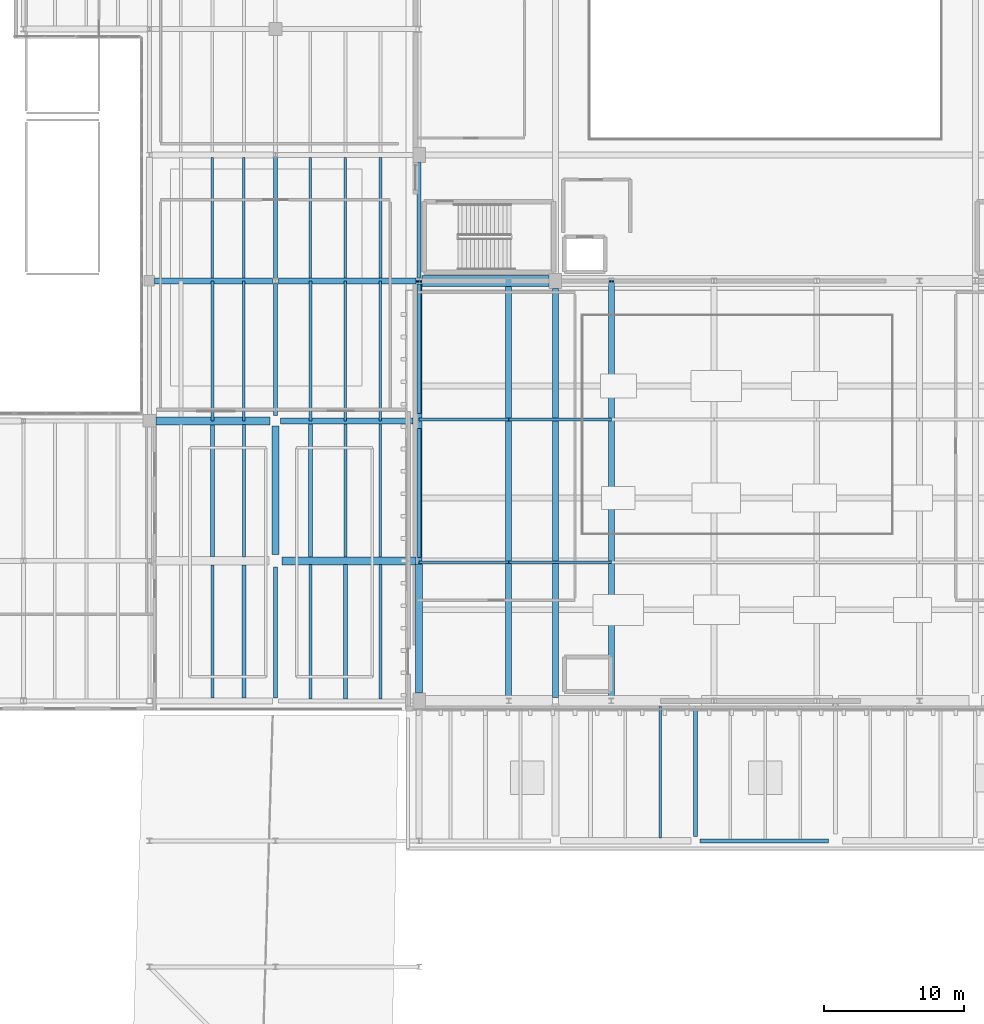
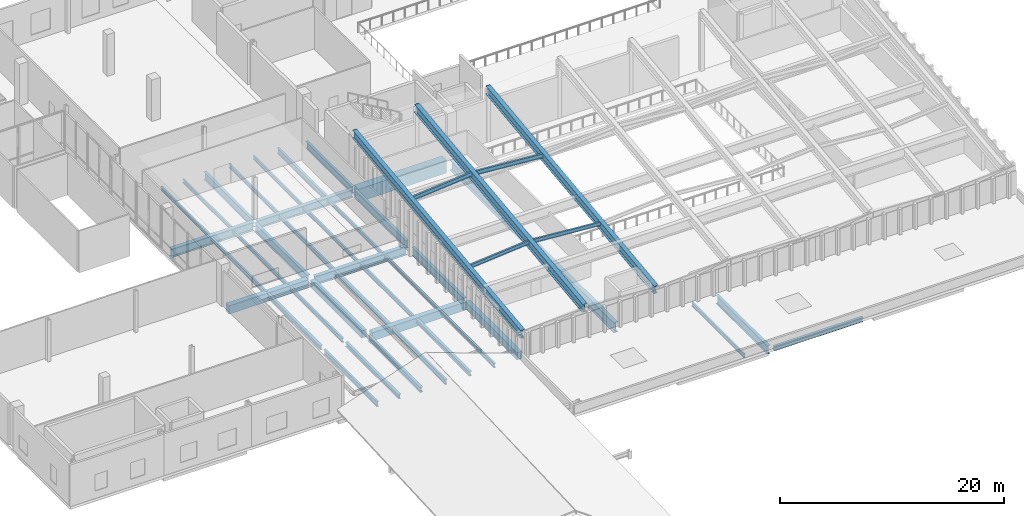
# One storey, part 12 of 30: 41 beams, 4 members.
"""IFC4 building model written with IfcOpenShell, lengths in metres."""

from ifc_helpers import new_model, si_unit, direction, frame, origin, origin_2d, place, context, subcontext, project, spatial, rectangle, i_section, extrude, material, material_profile, profile_set, type_object, element, save


model = new_model("IFC4")

# Units and contexts
model_context = context("Model", 3, precision=1e-05, world=origin(), true_north=direction((0.0, 1.0)))
body_context = subcontext(model_context, "Body", "Model", "MODEL_VIEW")
ifc_project = project(units=[si_unit("LENGTHUNIT", "METRE"), si_unit("AREAUNIT", "SQUARE_METRE"), si_unit("VOLUMEUNIT", "CUBIC_METRE"), si_unit("PLANEANGLEUNIT", "RADIAN"), si_unit("MASSUNIT", "GRAM", prefix="KILO")], contexts=[model_context])

# Site, building, storey
site_placement = place(None, origin())
site = spatial("IfcSite", under=ifc_project, at=site_placement, CompositionType="ELEMENT")
building_placement = place(site_placement, origin())
building = spatial("IfcBuilding", under=site, at=building_placement, Name="Trimount Lyric Opera House", CompositionType="ELEMENT")
storey_placement = place(building_placement, frame((0.0, 0.0, 24.800048828125)))
storey = spatial("IfcBuildingStorey", under=building, at=storey_placement, Name="L05", CompositionType="ELEMENT", Elevation=24.800048828125)

# Beams
ifc_material_1 = material(Name="Steel ASTM A992 Grade 50", Category="steel")
ifc_material_profile_1 = material_profile(ifc_material_1, i_section(OverallWidth=0.424072265625, OverallDepth=0.947021484375, WebThickness=0.02392578125, FlangeThickness=0.042724609375, FilletRadius=0.02392578125, at=origin_2d()), Name="W36X302")
ifc_profile_set_1 = profile_set([ifc_material_profile_1], Name="Steel ASTM A992 Grade 50")
beam_type_1 = type_object("IfcBeamType", Name="B-01", PredefinedType="BEAM", material=ifc_profile_set_1)
beam_1_placement = place(storey_placement, frame((70.6572265625, 54.0, 2.576416015625), z_axis=(0.0, 0.992758415213, 0.120127969367), x_axis=(-1.0, 0.0, 0.0)))
element("IfcBeam", 1, at=beam_1_placement, inside=storey, type_object=beam_type_1, Name="Auditorium folded roof girder 2", PredefinedType="BEAM", context=body_context, shape_type="SweptSolid", body=[
    extrude(i_section(OverallWidth=0.424072265625, OverallDepth=0.947021484375, WebThickness=0.02392578125, FlangeThickness=0.042724609375, FilletRadius=0.02392578125, at=origin_2d()), origin(), (0.0, 0.0, 1.0), 30.21875),
])
ifc_material_2 = material(Name="Steel ASTM A992 Grade 50", Category="steel")
ifc_material_profile_2 = material_profile(ifc_material_2, i_section(OverallWidth=0.4189453125, OverallDepth=0.927001953125, WebThickness=0.019287109375, FlangeThickness=0.031982421875, FilletRadius=0.02392578125, at=origin_2d()), Name="W36X231")
ifc_profile_set_2 = profile_set([ifc_material_profile_2], Name="Steel ASTM A992 Grade 50")
beam_type_2 = type_object("IfcBeamType", Name="B-02", PredefinedType="BEAM", material=ifc_profile_set_2)
beam_2_placement = place(storey_placement, frame((54.375, 74.0, -0.8134765625), z_axis=(1.0, 0.0, 0.0), x_axis=(0.0, 1.0, 0.0)))
element("IfcBeam", 2, at=beam_2_placement, inside=storey, type_object=beam_type_2, Name="L05 girder X-1271", PredefinedType="BEAM", context=body_context, shape_type="SweptSolid", body=[
    extrude(i_section(OverallWidth=0.4189453125, OverallDepth=0.927001953125, WebThickness=0.019287109375, FlangeThickness=0.031982421875, FilletRadius=0.02392578125, at=origin_2d()), origin(), (0.0, 0.0, 1.0), 9.43505859375),
])
beam_3_placement = place(storey_placement, frame((45.375, 84.0, -0.7236328125), z_axis=(1.0, 0.0, 0.0), x_axis=(0.0, 1.0, 0.0)))
element("IfcBeam", 3, at=beam_3_placement, inside=storey, type_object=beam_type_2, Name="L05 girder X-1272", PredefinedType="BEAM", context=body_context, shape_type="SweptSolid", body=[
    extrude(i_section(OverallWidth=0.4189453125, OverallDepth=0.927001953125, WebThickness=0.019287109375, FlangeThickness=0.031982421875, FilletRadius=0.02392578125, at=origin_2d()), origin(), (0.0, 0.0, 1.0), 8.44091796875),
])
for number, where, z_axis, x_axis, name in (
    (4, (64.260009765625, 54.0, 2.00634765625), (0.0, 0.992758415213, 0.120127969367), (-1.0, 0.0, 0.0), "Auditorium folded roof girder 1"),
    (5, (77.994384765625, 54.0, 2.00634765625), (0.0, 0.992758415213, 0.120127969367), (-1.0, 0.0, 0.0), "Auditorium folded roof girder 3"),
):
    element("IfcBeam", number, at=place(storey_placement, frame(where, z_axis=z_axis, x_axis=x_axis)), inside=storey, type_object=beam_type_2, Name=name, PredefinedType="BEAM", context=body_context, shape_type="SweptSolid", body=[
        extrude(i_section(OverallWidth=0.4189453125, OverallDepth=0.927001953125, WebThickness=0.019287109375, FlangeThickness=0.031982421875, FilletRadius=0.02392578125, at=origin_2d()), origin(), (0.0, 0.0, 1.0), 30.21875),
    ])
ifc_material_3 = material(Name="Steel ASTM A992 Grade 50", Category="steel")
ifc_material_profile_3 = material_profile(ifc_material_3, i_section(OverallWidth=0.304931640625, OverallDepth=0.9189453125, WebThickness=0.017333984375, FlangeThickness=0.02783203125, FilletRadius=0.02001953125, at=origin_2d()), Name="W36X170")
ifc_profile_set_3 = profile_set([ifc_material_profile_3], Name="Steel ASTM A992 Grade 50")
beam_type_3 = type_object("IfcBeamType", Name="B-03", PredefinedType="BEAM", material=ifc_profile_set_3)
beam_4_placement = place(storey_placement, frame((54.0, 74.375, -0.8095703125), z_axis=(0.0, 1.0, 0.0), x_axis=(-1.0, 0.0, 0.0)))
element("IfcBeam", 6, at=beam_4_placement, inside=storey, type_object=beam_type_3, Name="L05 girder Y-1309", PredefinedType="BEAM", context=body_context, shape_type="SweptSolid", body=[
    extrude(i_section(OverallWidth=0.304931640625, OverallDepth=0.9189453125, WebThickness=0.017333984375, FlangeThickness=0.02783203125, FilletRadius=0.02001953125, at=origin_2d()), origin(), (0.0, 0.0, 1.0), 9.447021484375),
])
beam_5_placement = place(storey_placement, frame((64.260009765625, 64.232421875, -0.759521484375), z_axis=(0.0, 1.0, 0.0), x_axis=(-1.0, 0.0, 0.0)))
element("IfcBeam", 7, at=beam_5_placement, inside=storey, type_object=beam_type_3, Name="L05 girder Y-1316", PredefinedType="BEAM", context=body_context, shape_type="SweptSolid", body=[
    extrude(i_section(OverallWidth=0.304931640625, OverallDepth=0.9189453125, WebThickness=0.017333984375, FlangeThickness=0.02783203125, FilletRadius=0.02001953125, at=origin_2d()), origin(), (0.0, 0.0, 1.0), 9.217529296875),
])
beam_6_placement = place(storey_placement, frame((84.0, 44.324951171875, -0.759521484375), z_axis=(0.0, 1.0, 0.0), x_axis=(-1.0, 0.0, 0.0)))
element("IfcBeam", 8, at=beam_6_placement, inside=storey, type_object=beam_type_3, Name="L05 girder Y-1324", PredefinedType="BEAM", context=body_context, shape_type="SweptSolid", body=[
    extrude(i_section(OverallWidth=0.304931640625, OverallDepth=0.9189453125, WebThickness=0.017333984375, FlangeThickness=0.02783203125, FilletRadius=0.02001953125, at=origin_2d()), origin(), (0.0, 0.0, 1.0), 9.125),
])
ifc_material_4 = material(Name="Steel ASTM A992 Grade 50", Category="steel")
ifc_material_profile_4 = material_profile(ifc_material_4, i_section(OverallWidth=0.40087890625, OverallDepth=0.861083984375, WebThickness=0.019775390625, FlangeThickness=0.032470703125, FilletRadius=0.02001953125, at=origin_2d()), Name="W33X221")
ifc_profile_set_4 = profile_set([ifc_material_profile_4], Name="Steel ASTM A992 Grade 50")
beam_type_4 = type_object("IfcBeamType", Name="B-04", PredefinedType="BEAM", material=ifc_profile_set_4)
beam_7_placement = place(storey_placement, frame((54.18408203125, 84.0, -0.73046875), z_axis=(1.0, 0.0, 0.0), x_axis=(0.0, 1.0, 0.0)))
element("IfcBeam", 9, at=beam_7_placement, inside=storey, type_object=beam_type_4, Name="L05 girder X-1273", PredefinedType="BEAM", context=body_context, shape_type="SweptSolid", body=[
    extrude(i_section(OverallWidth=0.40087890625, OverallDepth=0.861083984375, WebThickness=0.019775390625, FlangeThickness=0.032470703125, FilletRadius=0.02001953125, at=origin_2d()), origin(), (0.0, 0.0, 1.0), 9.864990234375),
])
ifc_material_5 = material(Name="Steel ASTM A992 Grade 50", Category="steel")
ifc_material_profile_5 = material_profile(ifc_material_5, i_section(OverallWidth=0.2919921875, OverallDepth=0.845947265625, WebThickness=0.015380859375, FlangeThickness=0.0244140625, FilletRadius=0.01806640625, at=origin_2d()), Name="W33X141")
ifc_profile_set_5 = profile_set([ifc_material_profile_5], Name="Steel ASTM A992 Grade 50")
beam_type_5 = type_object("IfcBeamType", Name="B-05", PredefinedType="BEAM", material=ifc_profile_set_5)
beam_8_placement = place(storey_placement, frame((54.0, 84.177978515625, -0.68310546875), z_axis=(0.0, 1.0, 0.0), x_axis=(-1.0, 0.0, 0.0)))
element("IfcBeam", 10, at=beam_8_placement, inside=storey, type_object=beam_type_5, Name="L05 girder Y-1310", PredefinedType="BEAM", context=body_context, shape_type="SweptSolid", body=[
    extrude(i_section(OverallWidth=0.2919921875, OverallDepth=0.845947265625, WebThickness=0.015380859375, FlangeThickness=0.0244140625, FilletRadius=0.01806640625, at=origin_2d()), origin(), (0.0, 0.0, 1.0), 8.66845703125),
])
beam_9_placement = place(storey_placement, frame((64.260009765625, 74.550048828125, -0.72314453125), z_axis=(0.0, 1.0, 0.0), x_axis=(-1.0, 0.0, 0.0)))
element("IfcBeam", 11, at=beam_9_placement, inside=storey, type_object=beam_type_5, Name="L05 girder Y-1317", PredefinedType="BEAM", context=body_context, shape_type="SweptSolid", body=[
    extrude(i_section(OverallWidth=0.2919921875, OverallDepth=0.845947265625, WebThickness=0.015380859375, FlangeThickness=0.0244140625, FilletRadius=0.01806640625, at=origin_2d()), origin(), (0.0, 0.0, 1.0), 9.217529296875),
])
ifc_material_6 = material(Name="Steel ASTM A992 Grade 50", Category="steel")
ifc_material_profile_6 = material_profile(ifc_material_6, i_section(OverallWidth=0.26708984375, OverallDepth=0.761962890625, WebThickness=0.014404296875, FlangeThickness=0.021484375, FilletRadius=0.01708984375, at=origin_2d()), Name="W30X116")
ifc_profile_set_6 = profile_set([ifc_material_profile_6], Name="Steel ASTM A992 Grade 50")
beam_type_6 = type_object("IfcBeamType", Name="B-07", PredefinedType="BEAM", material=ifc_profile_set_6)
beam_10_placement = place(storey_placement, frame((64.260009765625, 84.232421875, -0.68115234375), z_axis=(0.0, 1.0, 0.0), x_axis=(-1.0, 0.0, 0.0)))
element("IfcBeam", 12, at=beam_10_placement, inside=storey, type_object=beam_type_6, Name="L05 girder Y-1318", PredefinedType="BEAM", context=body_context, shape_type="SweptSolid", body=[
    extrude(i_section(OverallWidth=0.26708984375, OverallDepth=0.761962890625, WebThickness=0.014404296875, FlangeThickness=0.021484375, FilletRadius=0.01708984375, at=origin_2d()), origin(), (0.0, 0.0, 1.0), 8.217529296875),
])
ifc_material_7 = material(Name="Steel ASTM A992 Grade 50", Category="steel")
ifc_material_profile_7 = material_profile(ifc_material_7, i_section(OverallWidth=0.31201171875, OverallDepth=0.5458984375, WebThickness=0.013916015625, FlangeThickness=0.022216796875, FilletRadius=0.014892578125, at=origin_2d()), Name="W21X111")
ifc_profile_set_7 = profile_set([ifc_material_profile_7], Name="Steel ASTM A992 Grade 50")
beam_type_7 = type_object("IfcBeamType", Name="B-12", PredefinedType="BEAM", material=ifc_profile_set_7)
beam_11_placement = place(storey_placement, frame((54.0, 54.20849609375, -0.623046875), z_axis=(0.0, 1.0, 0.0), x_axis=(-1.0, 0.0, 0.0)))
element("IfcBeam", 13, at=beam_11_placement, inside=storey, type_object=beam_type_7, Name="L05 girder Y-1307", PredefinedType="BEAM", context=body_context, shape_type="SweptSolid", body=[
    extrude(i_section(OverallWidth=0.31201171875, OverallDepth=0.5458984375, WebThickness=0.013916015625, FlangeThickness=0.022216796875, FilletRadius=0.014892578125, at=origin_2d()), origin(), (0.0, 0.0, 1.0), 9.341552734375),
])
ifc_material_8 = material(Name="Concrete C40/50", Category="concrete")
ifc_material_profile_8 = material_profile(ifc_material_8, rectangle(XDim=0.550048828125, YDim=0.89990234375, at=origin_2d()), Name="RC550X900")
ifc_profile_set_8 = profile_set([ifc_material_profile_8], Name="Concrete C40/50")
beam_type_8 = type_object("IfcBeamType", Name="B-14", PredefinedType="BEAM", material=ifc_profile_set_8)
beam_12_placement = place(storey_placement, frame((54.449951171875, 64.0, -0.800048828125), z_axis=(1.0, 0.0, 0.0), x_axis=(0.0, 1.0, 0.0)))
element("IfcBeam", 14, at=beam_12_placement, inside=storey, type_object=beam_type_8, Name="L05 girder X-1265", PredefinedType="BEAM", context=body_context, shape_type="SweptSolid", body=[
    extrude(rectangle(XDim=0.550048828125, YDim=0.89990234375, at=origin_2d()), origin(), (0.0, 0.0, 1.0), 9.59912109375),
])
beam_13_placement = place(storey_placement, frame((45.449951171875, 74.0, -0.800048828125), z_axis=(1.0, 0.0, 0.0), x_axis=(0.0, 1.0, 0.0)))
element("IfcBeam", 15, at=beam_13_placement, inside=storey, type_object=beam_type_8, Name="L05 girder X-1270", PredefinedType="BEAM", context=body_context, shape_type="SweptSolid", body=[
    extrude(rectangle(XDim=0.550048828125, YDim=0.89990234375, at=origin_2d()), origin(), (0.0, 0.0, 1.0), 8.175048828125),
])
ifc_material_9 = material(Name="Concrete C40/50", Category="concrete")
ifc_material_profile_9 = material_profile(ifc_material_9, rectangle(XDim=0.5, YDim=0.800048828125, at=origin_2d()), Name="RC500X800")
ifc_profile_set_9 = profile_set([ifc_material_profile_9], Name="Concrete C40/50")
beam_type_9 = type_object("IfcBeamType", Name="B-15", PredefinedType="BEAM", material=ifc_profile_set_9)
beam_14_placement = place(storey_placement, frame((54.0, 64.449951171875, -0.75), z_axis=(0.0, 1.0, 0.0), x_axis=(-1.0, 0.0, 0.0)))
element("IfcBeam", 16, at=beam_14_placement, inside=storey, type_object=beam_type_9, Name="L05 girder Y-1308", PredefinedType="BEAM", context=body_context, shape_type="SweptSolid", body=[
    extrude(rectangle(XDim=0.5, YDim=0.800048828125, at=origin_2d()), origin(), (0.0, 0.0, 1.0), 9.175048828125),
])
beam_15_placement = place(storey_placement, frame((64.260009765625, 54.550048828125, -0.699951171875), z_axis=(0.0, 1.0, 0.0), x_axis=(-1.0, 0.0, 0.0)))
element("IfcBeam", 17, at=beam_15_placement, inside=storey, type_object=beam_type_9, Name="L05 girder Y-1315", PredefinedType="BEAM", context=body_context, shape_type="SweptSolid", body=[
    extrude(rectangle(XDim=0.5, YDim=0.800048828125, at=origin_2d()), origin(), (0.0, 0.0, 1.0), 9.217529296875),
])
ifc_material_10 = material(Name="Steel ASTM A992 Grade 50", Category="steel")
ifc_material_profile_10 = material_profile(ifc_material_10, i_section(OverallWidth=0.22802734375, OverallDepth=0.60205078125, WebThickness=0.010498046875, FlangeThickness=0.014892578125, FilletRadius=0.012939453125, at=origin_2d()), Name="W24X68")
ifc_profile_set_10 = profile_set([ifc_material_profile_10], Name="Steel ASTM A992 Grade 50")
beam_type_10 = type_object("IfcBeamType", Name="J-01", PredefinedType="BEAM", material=ifc_profile_set_10)
beam_16_placement = place(storey_placement, frame((61.5, 84.196533203125, -0.56103515625), z_axis=(0.0, 1.0, 0.0), x_axis=(-1.0, 0.0, 0.0)))
element("IfcBeam", 18, at=beam_16_placement, inside=storey, type_object=beam_type_10, Name="L05 composite floor joist 1279", PredefinedType="BEAM", context=body_context, shape_type="SweptSolid", body=[
    extrude(i_section(OverallWidth=0.22802734375, OverallDepth=0.60205078125, WebThickness=0.010498046875, FlangeThickness=0.014892578125, FilletRadius=0.012939453125, at=origin_2d()), origin(), (0.0, 0.0, 1.0), 8.616455078125),
])
ifc_material_11 = material(Name="Steel ASTM A992 Grade 50", Category="steel")
ifc_material_profile_11 = material_profile(ifc_material_11, i_section(OverallWidth=0.2099609375, OverallDepth=0.532958984375, WebThickness=0.01025390625, FlangeThickness=0.015625, FilletRadius=0.012939453125, at=origin_2d()), Name="W21X62")
ifc_profile_set_11 = profile_set([ifc_material_profile_11], Name="Steel ASTM A992 Grade 50")
beam_type_11 = type_object("IfcBeamType", Name="J-02", PredefinedType="BEAM", material=ifc_profile_set_11)
beam_17_placement = place(storey_placement, frame((49.5, 54.220947265625, -0.616455078125), z_axis=(0.0, 1.0, 0.0), x_axis=(-1.0, 0.0, 0.0)))
element("IfcBeam", 19, at=beam_17_placement, inside=storey, type_object=beam_type_11, Name="L05 composite floor joist 1248", PredefinedType="BEAM", context=body_context, shape_type="SweptSolid", body=[
    extrude(i_section(OverallWidth=0.2099609375, OverallDepth=0.532958984375, WebThickness=0.01025390625, FlangeThickness=0.015625, FilletRadius=0.012939453125, at=origin_2d()), origin(), (0.0, 0.0, 1.0), 9.483154296875),
])
beam_18_placement = place(storey_placement, frame((56.5, 54.136962890625, -0.616455078125), z_axis=(0.0, 1.0, 0.0), x_axis=(-1.0, 0.0, 0.0)))
element("IfcBeam", 20, at=beam_18_placement, inside=storey, type_object=beam_type_11, Name="L05 composite floor joist 1268", PredefinedType="BEAM", context=body_context, shape_type="SweptSolid", body=[
    extrude(i_section(OverallWidth=0.2099609375, OverallDepth=0.532958984375, WebThickness=0.01025390625, FlangeThickness=0.015625, FilletRadius=0.012939453125, at=origin_2d()), origin(), (0.0, 0.0, 1.0), 9.592041015625),
])
ifc_material_12 = material(Name="Steel ASTM A992 Grade 50", Category="steel")
ifc_material_profile_12 = material_profile(ifc_material_12, i_section(OverallWidth=0.281982421875, OverallDepth=0.467041015625, WebThickness=0.01220703125, FlangeThickness=0.01953125, FilletRadius=0.012939453125, at=origin_2d()), Name="W18X86")
ifc_profile_set_12 = profile_set([ifc_material_profile_12], Name="Steel ASTM A992 Grade 50")
beam_type_12 = type_object("IfcBeamType", Name="J-03", PredefinedType="BEAM", material=ifc_profile_set_12)
beam_19_placement = place(storey_placement, frame((51.75, 54.220947265625, -0.58349609375), z_axis=(0.0, 1.0, 0.0), x_axis=(-1.0, 0.0, 0.0)))
element("IfcBeam", 21, at=beam_19_placement, inside=storey, type_object=beam_type_12, Name="L05 composite floor joist 1249", PredefinedType="BEAM", context=body_context, shape_type="SweptSolid", body=[
    extrude(i_section(OverallWidth=0.281982421875, OverallDepth=0.467041015625, WebThickness=0.01220703125, FlangeThickness=0.01953125, FilletRadius=0.012939453125, at=origin_2d()), origin(), (0.0, 0.0, 1.0), 9.483154296875),
])
beam_20_placement = place(storey_placement, frame((49.5, 64.2958984375, -0.58349609375), z_axis=(0.0, 1.0, 0.0), x_axis=(-1.0, 0.0, 0.0)))
element("IfcBeam", 22, at=beam_20_placement, inside=storey, type_object=beam_type_12, Name="L05 composite floor joist 1251", PredefinedType="BEAM", context=body_context, shape_type="SweptSolid", body=[
    extrude(i_section(OverallWidth=0.281982421875, OverallDepth=0.467041015625, WebThickness=0.01220703125, FlangeThickness=0.01953125, FilletRadius=0.012939453125, at=origin_2d()), origin(), (0.0, 0.0, 1.0), 9.43310546875),
])
beam_21_placement = place(storey_placement, frame((59.0, 54.136962890625, -0.58349609375), z_axis=(0.0, 1.0, 0.0), x_axis=(-1.0, 0.0, 0.0)))
element("IfcBeam", 23, at=beam_21_placement, inside=storey, type_object=beam_type_12, Name="L05 composite floor joist 1269", PredefinedType="BEAM", context=body_context, shape_type="SweptSolid", body=[
    extrude(i_section(OverallWidth=0.281982421875, OverallDepth=0.467041015625, WebThickness=0.01220703125, FlangeThickness=0.01953125, FilletRadius=0.012939453125, at=origin_2d()), origin(), (0.0, 0.0, 1.0), 9.592041015625),
])
beam_22_placement = place(storey_placement, frame((56.5, 64.27099609375, -0.58349609375), z_axis=(0.0, 1.0, 0.0), x_axis=(-1.0, 0.0, 0.0)))
element("IfcBeam", 24, at=beam_22_placement, inside=storey, type_object=beam_type_12, Name="L05 composite floor joist 1271", PredefinedType="BEAM", context=body_context, shape_type="SweptSolid", body=[
    extrude(i_section(OverallWidth=0.281982421875, OverallDepth=0.467041015625, WebThickness=0.01220703125, FlangeThickness=0.01953125, FilletRadius=0.012939453125, at=origin_2d()), origin(), (0.0, 0.0, 1.0), 9.5234375),
])
ifc_material_13 = material(Name="Steel ASTM A992 Grade 50", Category="steel")
ifc_material_profile_13 = material_profile(ifc_material_13, i_section(OverallWidth=0.19091796875, OverallDepth=0.45703125, WebThickness=0.009033203125, FlangeThickness=0.014404296875, FilletRadius=0.010986328125, at=origin_2d()), Name="W18X50")
ifc_profile_set_13 = profile_set([ifc_material_profile_13], Name="Steel ASTM A992 Grade 50")
beam_type_13 = type_object("IfcBeamType", Name="J-04", PredefinedType="BEAM", material=ifc_profile_set_13)
beam_23_placement = place(storey_placement, frame((51.75, 64.2958984375, -0.57861328125), z_axis=(0.0, 1.0, 0.0), x_axis=(-1.0, 0.0, 0.0)))
element("IfcBeam", 25, at=beam_23_placement, inside=storey, type_object=beam_type_13, Name="L05 composite floor joist 1252", PredefinedType="BEAM", context=body_context, shape_type="SweptSolid", body=[
    extrude(i_section(OverallWidth=0.19091796875, OverallDepth=0.45703125, WebThickness=0.009033203125, FlangeThickness=0.014404296875, FilletRadius=0.010986328125, at=origin_2d()), origin(), (0.0, 0.0, 1.0), 9.43310546875),
])
beam_24_placement = place(storey_placement, frame((49.5, 74.011962890625, -0.57861328125), z_axis=(0.0, 1.0, 0.0), x_axis=(-1.0, 0.0, 0.0)))
element("IfcBeam", 26, at=beam_24_placement, inside=storey, type_object=beam_type_13, Name="L05 composite floor joist 1254", PredefinedType="BEAM", context=body_context, shape_type="SweptSolid", body=[
    extrude(i_section(OverallWidth=0.19091796875, OverallDepth=0.45703125, WebThickness=0.009033203125, FlangeThickness=0.014404296875, FilletRadius=0.010986328125, at=origin_2d()), origin(), (0.0, 0.0, 1.0), 9.97607421875),
])
beam_25_placement = place(storey_placement, frame((61.5, 54.136962890625, -0.57861328125), z_axis=(0.0, 1.0, 0.0), x_axis=(-1.0, 0.0, 0.0)))
element("IfcBeam", 27, at=beam_25_placement, inside=storey, type_object=beam_type_13, Name="L05 composite floor joist 1270", PredefinedType="BEAM", context=body_context, shape_type="SweptSolid", body=[
    extrude(i_section(OverallWidth=0.19091796875, OverallDepth=0.45703125, WebThickness=0.009033203125, FlangeThickness=0.014404296875, FilletRadius=0.010986328125, at=origin_2d()), origin(), (0.0, 0.0, 1.0), 9.592041015625),
])
beam_26_placement = place(storey_placement, frame((59.0, 64.27099609375, -0.57861328125), z_axis=(0.0, 1.0, 0.0), x_axis=(-1.0, 0.0, 0.0)))
element("IfcBeam", 28, at=beam_26_placement, inside=storey, type_object=beam_type_13, Name="L05 composite floor joist 1272", PredefinedType="BEAM", context=body_context, shape_type="SweptSolid", body=[
    extrude(i_section(OverallWidth=0.19091796875, OverallDepth=0.45703125, WebThickness=0.009033203125, FlangeThickness=0.014404296875, FilletRadius=0.010986328125, at=origin_2d()), origin(), (0.0, 0.0, 1.0), 9.5234375),
])
beam_27_placement = place(storey_placement, frame((56.5, 74.011962890625, -0.57861328125), z_axis=(0.0, 1.0, 0.0), x_axis=(-1.0, 0.0, 0.0)))
element("IfcBeam", 29, at=beam_27_placement, inside=storey, type_object=beam_type_13, Name="L05 composite floor joist 1274", PredefinedType="BEAM", context=body_context, shape_type="SweptSolid", body=[
    extrude(i_section(OverallWidth=0.19091796875, OverallDepth=0.45703125, WebThickness=0.009033203125, FlangeThickness=0.014404296875, FilletRadius=0.010986328125, at=origin_2d()), origin(), (0.0, 0.0, 1.0), 9.97607421875),
])
ifc_material_14 = material(Name="Steel ASTM A992 Grade 50", Category="steel")
ifc_material_profile_14 = material_profile(ifc_material_14, i_section(OverallWidth=0.180908203125, OverallDepth=0.4169921875, WebThickness=0.010986328125, FlangeThickness=0.018310546875, FilletRadius=0.010986328125, at=origin_2d()), Name="W16X57")
ifc_profile_set_14 = profile_set([ifc_material_profile_14], Name="Steel ASTM A992 Grade 50")
beam_type_14 = type_object("IfcBeamType", Name="J-05", PredefinedType="BEAM", material=ifc_profile_set_14)
beam_28_placement = place(storey_placement, frame((51.75, 74.011962890625, -0.55859375), z_axis=(0.0, 1.0, 0.0), x_axis=(-1.0, 0.0, 0.0)))
element("IfcBeam", 30, at=beam_28_placement, inside=storey, type_object=beam_type_14, Name="L05 composite floor joist 1255", PredefinedType="BEAM", context=body_context, shape_type="SweptSolid", body=[
    extrude(i_section(OverallWidth=0.180908203125, OverallDepth=0.4169921875, WebThickness=0.010986328125, FlangeThickness=0.018310546875, FilletRadius=0.010986328125, at=origin_2d()), origin(), (0.0, 0.0, 1.0), 9.97607421875),
])
beam_29_placement = place(storey_placement, frame((49.5, 84.20556640625, -0.468505859375), z_axis=(0.0, 1.0, 0.0), x_axis=(-1.0, 0.0, 0.0)))
element("IfcBeam", 31, at=beam_29_placement, inside=storey, type_object=beam_type_14, Name="L05 composite floor joist 1257", PredefinedType="BEAM", context=body_context, shape_type="SweptSolid", body=[
    extrude(i_section(OverallWidth=0.180908203125, OverallDepth=0.4169921875, WebThickness=0.010986328125, FlangeThickness=0.018310546875, FilletRadius=0.010986328125, at=origin_2d()), origin(), (0.0, 0.0, 1.0), 8.597900390625),
])
beam_30_placement = place(storey_placement, frame((61.5, 64.27099609375, -0.55859375), z_axis=(0.0, 1.0, 0.0), x_axis=(-1.0, 0.0, 0.0)))
element("IfcBeam", 32, at=beam_30_placement, inside=storey, type_object=beam_type_14, Name="L05 composite floor joist 1273", PredefinedType="BEAM", context=body_context, shape_type="SweptSolid", body=[
    extrude(i_section(OverallWidth=0.180908203125, OverallDepth=0.4169921875, WebThickness=0.010986328125, FlangeThickness=0.018310546875, FilletRadius=0.010986328125, at=origin_2d()), origin(), (0.0, 0.0, 1.0), 9.5234375),
])
beam_31_placement = place(storey_placement, frame((59.0, 74.011962890625, -0.55859375), z_axis=(0.0, 1.0, 0.0), x_axis=(-1.0, 0.0, 0.0)))
element("IfcBeam", 33, at=beam_31_placement, inside=storey, type_object=beam_type_14, Name="L05 composite floor joist 1275", PredefinedType="BEAM", context=body_context, shape_type="SweptSolid", body=[
    extrude(i_section(OverallWidth=0.180908203125, OverallDepth=0.4169921875, WebThickness=0.010986328125, FlangeThickness=0.018310546875, FilletRadius=0.010986328125, at=origin_2d()), origin(), (0.0, 0.0, 1.0), 9.97607421875),
])
beam_32_placement = place(storey_placement, frame((56.5, 84.196533203125, -0.468505859375), z_axis=(0.0, 1.0, 0.0), x_axis=(-1.0, 0.0, 0.0)))
element("IfcBeam", 34, at=beam_32_placement, inside=storey, type_object=beam_type_14, Name="L05 composite floor joist 1277", PredefinedType="BEAM", context=body_context, shape_type="SweptSolid", body=[
    extrude(i_section(OverallWidth=0.180908203125, OverallDepth=0.4169921875, WebThickness=0.010986328125, FlangeThickness=0.018310546875, FilletRadius=0.010986328125, at=origin_2d()), origin(), (0.0, 0.0, 1.0), 8.616455078125),
])
beam_33_placement = place(storey_placement, frame((81.5, 44.220947265625, -0.508544921875), z_axis=(0.0, 1.0, 0.0), x_axis=(-1.0, 0.0, 0.0)))
element("IfcBeam", 35, at=beam_33_placement, inside=storey, type_object=beam_type_14, Name="L05 composite floor joist 1288", PredefinedType="BEAM", context=body_context, shape_type="SweptSolid", body=[
    extrude(i_section(OverallWidth=0.180908203125, OverallDepth=0.4169921875, WebThickness=0.010986328125, FlangeThickness=0.018310546875, FilletRadius=0.010986328125, at=origin_2d()), origin(), (0.0, 0.0, 1.0), 9.383056640625),
])
ifc_material_15 = material(Name="Steel ASTM A992 Grade 50", Category="steel")
ifc_material_profile_15 = material_profile(ifc_material_15, i_section(OverallWidth=0.177978515625, OverallDepth=0.404052734375, WebThickness=0.007568359375, FlangeThickness=0.010986328125, FilletRadius=0.010009765625, at=origin_2d()), Name="W16X36")
ifc_profile_set_15 = profile_set([ifc_material_profile_15], Name="Steel ASTM A992 Grade 50")
beam_type_15 = type_object("IfcBeamType", Name="J-06", PredefinedType="BEAM", material=ifc_profile_set_15)
beam_34_placement = place(storey_placement, frame((51.75, 84.20556640625, -0.462158203125), z_axis=(0.0, 1.0, 0.0), x_axis=(-1.0, 0.0, 0.0)))
element("IfcBeam", 36, at=beam_34_placement, inside=storey, type_object=beam_type_15, Name="L05 composite floor joist 1258", PredefinedType="BEAM", context=body_context, shape_type="SweptSolid", body=[
    extrude(i_section(OverallWidth=0.177978515625, OverallDepth=0.404052734375, WebThickness=0.007568359375, FlangeThickness=0.010986328125, FilletRadius=0.010009765625, at=origin_2d()), origin(), (0.0, 0.0, 1.0), 8.597900390625),
])
beam_35_placement = place(storey_placement, frame((61.5, 74.011962890625, -0.552001953125), z_axis=(0.0, 1.0, 0.0), x_axis=(-1.0, 0.0, 0.0)))
element("IfcBeam", 37, at=beam_35_placement, inside=storey, type_object=beam_type_15, Name="L05 composite floor joist 1276", PredefinedType="BEAM", context=body_context, shape_type="SweptSolid", body=[
    extrude(i_section(OverallWidth=0.177978515625, OverallDepth=0.404052734375, WebThickness=0.007568359375, FlangeThickness=0.010986328125, FilletRadius=0.010009765625, at=origin_2d()), origin(), (0.0, 0.0, 1.0), 9.97607421875),
])
beam_36_placement = place(storey_placement, frame((59.0, 84.196533203125, -0.462158203125), z_axis=(0.0, 1.0, 0.0), x_axis=(-1.0, 0.0, 0.0)))
element("IfcBeam", 38, at=beam_36_placement, inside=storey, type_object=beam_type_15, Name="L05 composite floor joist 1278", PredefinedType="BEAM", context=body_context, shape_type="SweptSolid", body=[
    extrude(i_section(OverallWidth=0.177978515625, OverallDepth=0.404052734375, WebThickness=0.007568359375, FlangeThickness=0.010986328125, FilletRadius=0.010009765625, at=origin_2d()), origin(), (0.0, 0.0, 1.0), 8.616455078125),
])

# Members
ifc_material_16 = material(Name="Steel ASTM A992 Grade 50", Category="steel")
ifc_material_profile_16 = material_profile(ifc_material_16, i_section(OverallWidth=0.177978515625, OverallDepth=0.404052734375, WebThickness=0.007568359375, FlangeThickness=0.010986328125, FilletRadius=0.010009765625, at=origin_2d()), Name="W16X36")
ifc_profile_set_16 = profile_set([ifc_material_profile_16], Name="Steel ASTM A992 Grade 50")
member_type_1 = type_object("IfcMemberType", Name="PR-01", PredefinedType="CHORD", material=ifc_profile_set_16)
member_1_placement = place(storey_placement, frame((64.260009765625, 63.89990234375, 3.204345703125), z_axis=(0.996053023158, 0.0, 0.088760211009), x_axis=(0.0, 1.0, 0.0)))
element("IfcMember", 39, at=member_1_placement, inside=storey, type_object=member_type_1, Name="Auditorium folded roof purlin 1.1", PredefinedType="CHORD", context=body_context, shape_type="SweptSolid", body=[
    extrude(i_section(OverallWidth=0.177978515625, OverallDepth=0.404052734375, WebThickness=0.007568359375, FlangeThickness=0.010986328125, FilletRadius=0.010009765625, at=origin_2d()), origin(), (0.0, 0.0, 1.0), 6.422607421875),
])
member_2_placement = place(storey_placement, frame((70.6572265625, 63.89990234375, 3.7744140625), z_axis=(0.996995257509, 0.0, -0.077462613592), x_axis=(0.0, 1.0, 0.0)))
element("IfcMember", 40, at=member_2_placement, inside=storey, type_object=member_type_1, Name="Auditorium folded roof purlin 2.1", PredefinedType="CHORD", context=body_context, shape_type="SweptSolid", body=[
    extrude(i_section(OverallWidth=0.177978515625, OverallDepth=0.404052734375, WebThickness=0.007568359375, FlangeThickness=0.010986328125, FilletRadius=0.010009765625, at=origin_2d()), origin(), (0.0, 0.0, 1.0), 7.359375),
])
ifc_material_17 = material(Name="Steel ASTM A992 Grade 50", Category="steel")
ifc_material_profile_17 = material_profile(ifc_material_17, i_section(OverallWidth=0.19091796875, OverallDepth=0.45703125, WebThickness=0.009033203125, FlangeThickness=0.014404296875, FilletRadius=0.010986328125, at=origin_2d()), Name="W18X50")
ifc_profile_set_17 = profile_set([ifc_material_profile_17], Name="Steel ASTM A992 Grade 50")
member_type_2 = type_object("IfcMemberType", Name="PR-02", PredefinedType="CHORD", material=ifc_profile_set_17)
member_3_placement = place(storey_placement, frame((64.260009765625, 74.10009765625, 4.4384765625), z_axis=(0.996053023158, 0.0, 0.088760211009), x_axis=(0.0, 1.0, 0.0)))
element("IfcMember", 41, at=member_3_placement, inside=storey, type_object=member_type_2, Name="Auditorium folded roof purlin 1.2", PredefinedType="CHORD", context=body_context, shape_type="SweptSolid", body=[
    extrude(i_section(OverallWidth=0.19091796875, OverallDepth=0.45703125, WebThickness=0.009033203125, FlangeThickness=0.014404296875, FilletRadius=0.010986328125, at=origin_2d()), origin(), (0.0, 0.0, 1.0), 6.422607421875),
])
member_4_placement = place(storey_placement, frame((70.6572265625, 74.10009765625, 5.008544921875), z_axis=(0.996995257509, 0.0, -0.077462613592), x_axis=(0.0, 1.0, 0.0)))
element("IfcMember", 42, at=member_4_placement, inside=storey, type_object=member_type_2, Name="Auditorium folded roof purlin 2.2", PredefinedType="CHORD", context=body_context, shape_type="SweptSolid", body=[
    extrude(i_section(OverallWidth=0.19091796875, OverallDepth=0.45703125, WebThickness=0.009033203125, FlangeThickness=0.014404296875, FilletRadius=0.010986328125, at=origin_2d()), origin(), (0.0, 0.0, 1.0), 7.359375),
])

# Beams
ifc_material_18 = material(Name="Steel ASTM A992 Grade 50", Category="steel")
ifc_material_profile_18 = material_profile(ifc_material_18, i_section(OverallWidth=0.281982421875, OverallDepth=0.467041015625, WebThickness=0.01220703125, FlangeThickness=0.01953125, FilletRadius=0.012939453125, at=origin_2d()), Name="W18X86")
ifc_profile_set_18 = profile_set([ifc_material_profile_18], Name="Steel ASTM A992 Grade 50")
beam_type_16 = type_object("IfcBeamType", Name="SP-01", PredefinedType="SPANDREL", material=ifc_profile_set_18)
beam_37_placement = place(storey_placement, frame((84.324951171875, 44.0, -0.5234375), z_axis=(1.0, 0.0, 0.0), x_axis=(0.0, 1.0, 0.0)))
element("IfcBeam", 43, at=beam_37_placement, inside=storey, type_object=beam_type_16, Name="L05 girder X-1246", PredefinedType="SPANDREL", context=body_context, shape_type="SweptSolid", body=[
    extrude(i_section(OverallWidth=0.281982421875, OverallDepth=0.467041015625, WebThickness=0.01220703125, FlangeThickness=0.01953125, FilletRadius=0.012939453125, at=origin_2d()), origin(), (0.0, 0.0, 1.0), 9.175048828125),
])
ifc_material_19 = material(Name="Steel ASTM A992 Grade 50", Category="steel")
ifc_material_profile_19 = material_profile(ifc_material_19, i_section(OverallWidth=0.427001953125, OverallDepth=1.092041015625, WebThickness=0.031005859375, FlangeThickness=0.055908203125, FilletRadius=0.02490234375, at=origin_2d()), Name="W40X397")
ifc_profile_set_19 = profile_set([ifc_material_profile_19], Name="Steel ASTM A992 Grade 50")
beam_type_17 = type_object("IfcBeamType", Name="TG-02", PredefinedType="USERDEFINED", material=ifc_profile_set_19)
beam_38_placement = place(storey_placement, frame((74.0, 54.232421875, -0.845947265625), z_axis=(0.0, 1.0, 0.0), x_axis=(-1.0, 0.0, 0.0)))
element("IfcBeam", 44, at=beam_38_placement, inside=storey, type_object=beam_type_17, Name="L05 girder Y-1322", ObjectType="TRANSFER_GIRDER", PredefinedType="USERDEFINED", context=body_context, shape_type="SweptSolid", body=[
    extrude(i_section(OverallWidth=0.427001953125, OverallDepth=1.092041015625, WebThickness=0.031005859375, FlangeThickness=0.055908203125, FilletRadius=0.02490234375, at=origin_2d()), origin(), (0.0, 0.0, 1.0), 29.217529296875),
])
ifc_material_20 = material(Name="Concrete C50/60", Category="concrete")
ifc_material_profile_20 = material_profile(ifc_material_20, rectangle(XDim=0.800048828125, YDim=1.39990234375, at=origin_2d()), Name="RC800X1400")
ifc_profile_set_20 = profile_set([ifc_material_profile_20], Name="Concrete C50/60")
beam_type_18 = type_object("IfcBeamType", Name="TG-04", PredefinedType="USERDEFINED", material=ifc_profile_set_20)
beam_39_placement = place(storey_placement, frame((64.470947265625, 84.0, -1.0), z_axis=(1.0, 0.0, 0.0), x_axis=(0.0, 1.0, 0.0)))
element("IfcBeam", 45, at=beam_39_placement, inside=storey, type_object=beam_type_18, Name="L05 girder X-1274", ObjectType="TRANSFER_GIRDER", PredefinedType="USERDEFINED", context=body_context, shape_type="SweptSolid", body=[
    extrude(rectangle(XDim=0.800048828125, YDim=1.39990234375, at=origin_2d()), origin(), (0.0, 0.0, 1.0), 9.0791015625),
])

save(model, "model.ifc")
